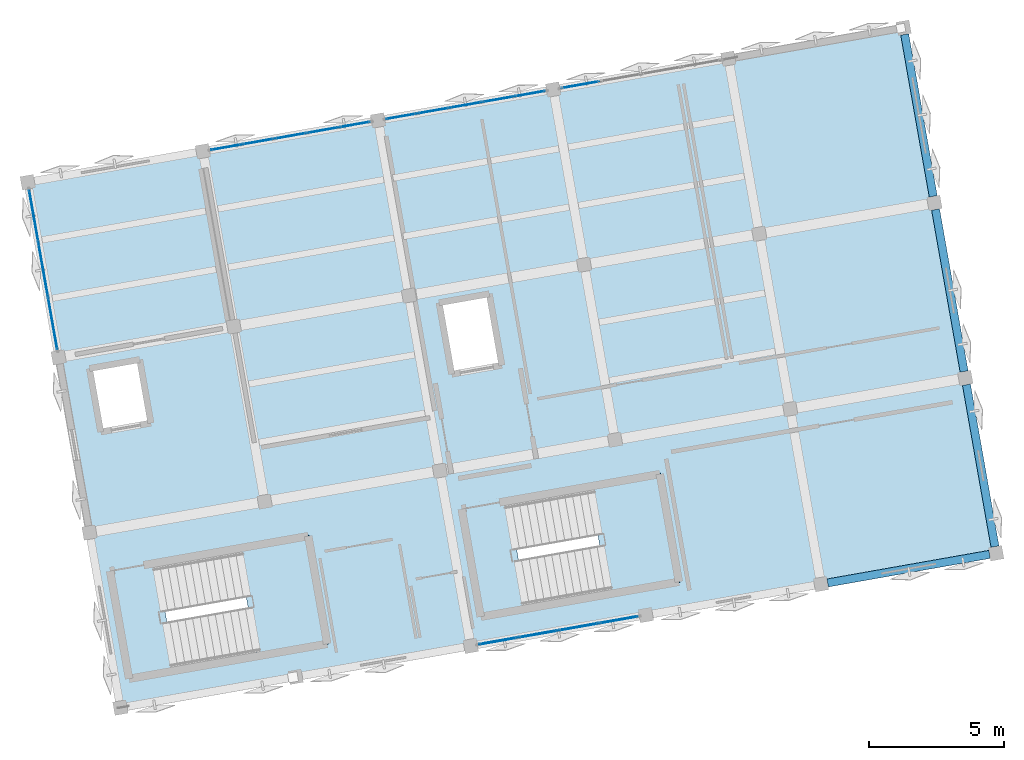
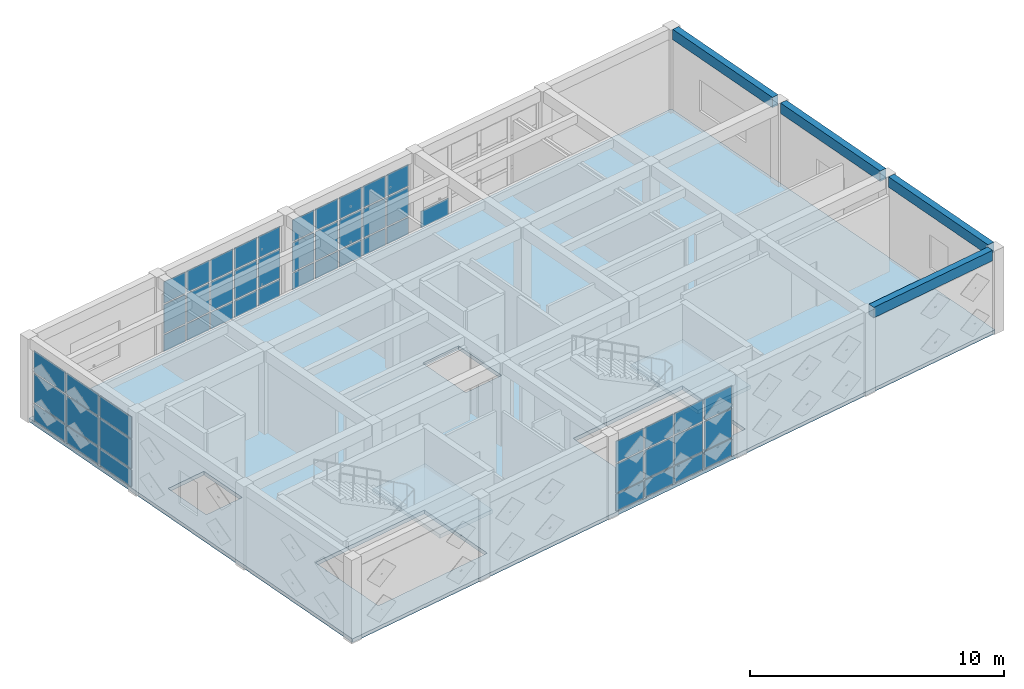
# One storey, part 9 of 15: 52 plates, 4 beams, 3 slabs, 7 elements without a shape of their own.
"""IFC4 building model written with IfcOpenShell, lengths in metres."""

from ifc_helpers import new_model, si_unit, direction, frame, origin, origin_2d, place, context, subcontext, project, spatial, polyline, rectangle, outline, extrude, material, layer, layer_set, material_profile, profile_set, type_object, element, aggregate, save


model = new_model("IFC4")

# Units and contexts
model_context = context("Model", 3, precision=1e-05, world=origin(), true_north=direction((0.0, 1.0)))
body_context = subcontext(model_context, "Body", "Model", "MODEL_VIEW")
ifc_project = project(units=[si_unit("LENGTHUNIT", "METRE"), si_unit("AREAUNIT", "SQUARE_METRE"), si_unit("VOLUMEUNIT", "CUBIC_METRE"), si_unit("PLANEANGLEUNIT", "RADIAN"), si_unit("MASSUNIT", "GRAM", prefix="KILO")], contexts=[model_context])

# Site, building, storey
site_placement = place(None, origin())
site = spatial("IfcSite", under=ifc_project, at=site_placement, CompositionType="ELEMENT")
building_placement = place(site_placement, origin())
building = spatial("IfcBuilding", under=site, at=building_placement, Name="Kharisveld Research Institute", CompositionType="ELEMENT")
storey_placement = place(building_placement, frame((0.0, 0.0, 40.800048828125)))
storey = spatial("IfcBuildingStorey", under=building, at=storey_placement, Name="L09", CompositionType="ELEMENT", Elevation=40.800048828125)

# Beams
ifc_material_1 = material(Name="Concrete C40/50", Category="concrete")
ifc_material_profile = material_profile(ifc_material_1, rectangle(XDim=0.300048828125, YDim=0.5, at=origin_2d()))
ifc_profile_set = profile_set([ifc_material_profile], Name="Concrete C40/50")
beam_type = type_object("IfcBeamType", Name="SP_RC_300x500", PredefinedType="SPANDREL", material=ifc_profile_set)
for number, where, z_axis, x_axis, name in (
    (1, (31.445068359375, 39.6376953125, 3.760009765625), (0.984805711192, 0.173659757005, 0.0), (-0.173659757005, 0.984805711192, 0.0), "BM:V1:L09:U4_0"),
    (2, (37.6552734375, 40.986572265625, 3.760009765625), (-0.173659757005, 0.984805711192, 0.0), (-0.984805711192, -0.173659757005, 0.0), "BM:V1:L09:V5_0"),
    (3, (36.50927734375, 47.486328125, 3.760009765625), (-0.173659757005, 0.984805711192, 0.0), (-0.984805711192, -0.173659757005, 0.0), "BM:V1:L09:V5_1"),
):
    element("IfcBeam", number, at=place(storey_placement, frame(where, z_axis=z_axis, x_axis=x_axis)), inside=storey, type_object=beam_type, Name=name, PredefinedType="SPANDREL", context=body_context, shape_type="SweptSolid", body=[
        extrude(rectangle(XDim=0.300048828125, YDim=0.5, at=origin_2d()), origin(), (0.0, 0.0, 1.0), 6.10009765625),
    ])
beam_placement = place(storey_placement, frame((35.363037109375, 53.986083984375, 3.760009765625), z_axis=(-0.173620940611, 0.984812555252, 0.0), x_axis=(-0.984812555252, -0.173620940611, 0.0)))
element("IfcBeam", 4, at=beam_placement, inside=storey, type_object=beam_type, Name="BM:V1:L09:V5_2", PredefinedType="SPANDREL", context=body_context, shape_type="SweptSolid", body=[
    extrude(rectangle(XDim=0.300048828125, YDim=0.5, at=origin_2d()), origin(), (0.0, 0.0, 1.0), 6.099853515625),
])

# Curtain wall, plates
ifc_material_2 = material(Name="Thermally Broken Aluminium Curtain Wall", Category="aluminium")
ifc_layer_1 = layer(ifc_material_2, 0.159912109375)
ifc_layer_set_1 = layer_set([ifc_layer_1], Name="CW_SYS_06")
curtain_wall_type_1 = type_object("IfcCurtainWallType", Name="CW_SYS_06", PredefinedType="NOTDEFINED", material=ifc_layer_set_1)
curtain_wall_1_placement = place(storey_placement, origin())
curtain_wall_1 = element("IfcCurtainWall", 5, at=curtain_wall_1_placement, inside=storey, type_object=curtain_wall_type_1, Name="CW:V1:L09:W2", PredefinedType="NOTDEFINED")
ifc_material_3 = material(Name="Low-E Double Glazing", Category="glass")
ifc_layer_2 = layer(ifc_material_3, 0.028076171875)
ifc_layer_set_2 = layer_set([ifc_layer_2], Name="CW_PNL_GLZ")
plate_type_1 = type_object("IfcPlateType", Name="CW_PNL_GLZ", PredefinedType="CURTAIN_PANEL", material=ifc_layer_set_2)
plate_1_placement = place(storey_placement, frame((2.685546875, 49.270751953125, 0.06494140625), z_axis=(0.0, 0.0, 1.0), x_axis=(-0.173648102039, 0.984807766347, 0.0)))
plate_1 = element("IfcPlate", 6, at=plate_1_placement, type_object=plate_type_1, Name="CW-06 panel 1.1", PredefinedType="CURTAIN_PANEL", context=body_context, shape_type="SweptSolid", body=[
    extrude(rectangle(XDim=1.931640625, YDim=0.028076171875, at=origin_2d()), origin(), (0.0, 0.0, 1.0), 0.802490234375),
])
plate_2_placement = place(storey_placement, frame((2.685546875, 49.270751953125, 0.9326171875), z_axis=(0.0, 0.0, 1.0), x_axis=(-0.173648102039, 0.984807766347, 0.0)))
plate_2 = element("IfcPlate", 7, at=plate_2_placement, type_object=plate_type_1, Name="CW-06 panel 1.2", PredefinedType="CURTAIN_PANEL", context=body_context, shape_type="SweptSolid", body=[
    extrude(rectangle(XDim=1.931640625, YDim=0.028076171875, at=origin_2d()), origin(), (0.0, 0.0, 1.0), 1.385009765625),
])
plate_3_placement = place(storey_placement, frame((2.685546875, 49.270751953125, 2.38232421875), z_axis=(0.0, 0.0, 1.0), x_axis=(-0.173648102039, 0.984807766347, 0.0)))
plate_3 = element("IfcPlate", 8, at=plate_3_placement, type_object=plate_type_1, Name="CW-06 panel 1.3", PredefinedType="CURTAIN_PANEL", context=body_context, shape_type="SweptSolid", body=[
    extrude(rectangle(XDim=1.931640625, YDim=0.028076171875, at=origin_2d()), origin(), (0.0, 0.0, 1.0), 1.032470703125),
])
plate_4_placement = place(storey_placement, frame((2.334716796875, 51.25927734375, 0.06494140625), z_axis=(0.0, 0.0, 1.0), x_axis=(-0.173648102039, 0.984807766347, 0.0)))
plate_4 = element("IfcPlate", 9, at=plate_4_placement, type_object=plate_type_1, Name="CW-06 panel 2.1", PredefinedType="CURTAIN_PANEL", context=body_context, shape_type="SweptSolid", body=[
    extrude(rectangle(XDim=1.966552734375, YDim=0.028076171875, at=origin_2d()), origin(), (0.0, 0.0, 1.0), 0.802490234375),
])
plate_5_placement = place(storey_placement, frame((2.334716796875, 51.25927734375, 0.9326171875), z_axis=(0.0, 0.0, 1.0), x_axis=(-0.173648102039, 0.984807766347, 0.0)))
plate_5 = element("IfcPlate", 10, at=plate_5_placement, type_object=plate_type_1, Name="CW-06 panel 2.2", PredefinedType="CURTAIN_PANEL", context=body_context, shape_type="SweptSolid", body=[
    extrude(rectangle(XDim=1.966552734375, YDim=0.028076171875, at=origin_2d()), origin(), (0.0, 0.0, 1.0), 1.385009765625),
])
plate_6_placement = place(storey_placement, frame((2.334716796875, 51.25927734375, 2.38232421875), z_axis=(0.0, 0.0, 1.0), x_axis=(-0.173648102039, 0.984807766347, 0.0)))
plate_6 = element("IfcPlate", 11, at=plate_6_placement, type_object=plate_type_1, Name="CW-06 panel 2.3", PredefinedType="CURTAIN_PANEL", context=body_context, shape_type="SweptSolid", body=[
    extrude(rectangle(XDim=1.966552734375, YDim=0.028076171875, at=origin_2d()), origin(), (0.0, 0.0, 1.0), 1.032470703125),
])
plate_7_placement = place(storey_placement, frame((1.984130859375, 53.247802734375, 0.06494140625), z_axis=(0.0, 0.0, 1.0), x_axis=(-0.173648102039, 0.984807766347, 0.0)))
plate_7 = element("IfcPlate", 12, at=plate_7_placement, type_object=plate_type_1, Name="CW-06 panel 3.1", PredefinedType="CURTAIN_PANEL", context=body_context, shape_type="SweptSolid", body=[
    extrude(rectangle(XDim=1.931640625, YDim=0.028076171875, at=origin_2d()), origin(), (0.0, 0.0, 1.0), 0.802490234375),
])
plate_8_placement = place(storey_placement, frame((1.984130859375, 53.247802734375, 0.9326171875), z_axis=(0.0, 0.0, 1.0), x_axis=(-0.173648102039, 0.984807766347, 0.0)))
plate_8 = element("IfcPlate", 13, at=plate_8_placement, type_object=plate_type_1, Name="CW-06 panel 3.2", PredefinedType="CURTAIN_PANEL", context=body_context, shape_type="SweptSolid", body=[
    extrude(rectangle(XDim=1.931640625, YDim=0.028076171875, at=origin_2d()), origin(), (0.0, 0.0, 1.0), 1.385009765625),
])
plate_9_placement = place(storey_placement, frame((1.984130859375, 53.247802734375, 2.38232421875), z_axis=(0.0, 0.0, 1.0), x_axis=(-0.173648102039, 0.984807766347, 0.0)))
plate_9 = element("IfcPlate", 14, at=plate_9_placement, type_object=plate_type_1, Name="CW-06 panel 3.3", PredefinedType="CURTAIN_PANEL", context=body_context, shape_type="SweptSolid", body=[
    extrude(rectangle(XDim=1.931640625, YDim=0.028076171875, at=origin_2d()), origin(), (0.0, 0.0, 1.0), 1.032470703125),
])
aggregate(curtain_wall_1, [plate_1, plate_2, plate_3, plate_4, plate_5, plate_6, plate_7, plate_8, plate_9])

ifc_material_4 = material(Name="Thermally Broken Aluminium Curtain Wall", Category="aluminium")
ifc_layer_3 = layer(ifc_material_4, 0.159912109375)
ifc_layer_set_3 = layer_set([ifc_layer_3], Name="CW_SYS_01")
curtain_wall_type_2 = type_object("IfcCurtainWallType", Name="CW_SYS_01", PredefinedType="NOTDEFINED", material=ifc_layer_set_3)
curtain_wall_2_placement = place(storey_placement, origin())
curtain_wall_2 = element("IfcCurtainWall", 15, at=curtain_wall_2_placement, inside=storey, type_object=curtain_wall_type_2, Name="CW:V1:L09:N1", PredefinedType="NOTDEFINED")
plate_10_placement = place(storey_placement, frame((9.121826171875, 55.806884765625, 0.06494140625), z_axis=(0.0, 0.0, 1.0), x_axis=(0.984807761413, 0.173648130021, 0.0)))
plate_10 = element("IfcPlate", 16, at=plate_10_placement, type_object=plate_type_1, Name="CW-01 panel 1.1", PredefinedType="CURTAIN_PANEL", context=body_context, shape_type="SweptSolid", body=[
    extrude(rectangle(XDim=1.116943359375, YDim=0.028076171875, at=origin_2d()), origin(), (0.0, 0.0, 1.0), 0.802490234375),
])
plate_11_placement = place(storey_placement, frame((9.121826171875, 55.806884765625, 0.9326171875), z_axis=(0.0, 0.0, 1.0), x_axis=(0.984807761413, 0.173648130021, 0.0)))
plate_11 = element("IfcPlate", 17, at=plate_11_placement, type_object=plate_type_1, Name="CW-01 panel 1.2", PredefinedType="CURTAIN_PANEL", context=body_context, shape_type="SweptSolid", body=[
    extrude(rectangle(XDim=1.116943359375, YDim=0.028076171875, at=origin_2d()), origin(), (0.0, 0.0, 1.0), 1.385009765625),
])
plate_12_placement = place(storey_placement, frame((9.121826171875, 55.806884765625, 2.38232421875), z_axis=(0.0, 0.0, 1.0), x_axis=(0.984807761413, 0.173648130021, 0.0)))
plate_12 = element("IfcPlate", 18, at=plate_12_placement, type_object=plate_type_1, Name="CW-01 panel 1.3", PredefinedType="CURTAIN_PANEL", context=body_context, shape_type="SweptSolid", body=[
    extrude(rectangle(XDim=1.116943359375, YDim=0.028076171875, at=origin_2d()), origin(), (0.0, 0.0, 1.0), 1.032470703125),
])
plate_13_placement = place(storey_placement, frame((10.307861328125, 56.01611328125, 0.06494140625), z_axis=(0.0, 0.0, 1.0), x_axis=(0.984807761413, 0.173648130021, 0.0)))
plate_13 = element("IfcPlate", 19, at=plate_13_placement, type_object=plate_type_1, Name="CW-01 panel 2.1", PredefinedType="CURTAIN_PANEL", context=body_context, shape_type="SweptSolid", body=[
    extrude(rectangle(XDim=1.152099609375, YDim=0.028076171875, at=origin_2d()), origin(), (0.0, 0.0, 1.0), 0.802490234375),
])
plate_14_placement = place(storey_placement, frame((10.307861328125, 56.01611328125, 0.9326171875), z_axis=(0.0, 0.0, 1.0), x_axis=(0.984807761413, 0.173648130021, 0.0)))
plate_14 = element("IfcPlate", 20, at=plate_14_placement, type_object=plate_type_1, Name="CW-01 panel 2.2", PredefinedType="CURTAIN_PANEL", context=body_context, shape_type="SweptSolid", body=[
    extrude(rectangle(XDim=1.152099609375, YDim=0.028076171875, at=origin_2d()), origin(), (0.0, 0.0, 1.0), 1.385009765625),
])
plate_15_placement = place(storey_placement, frame((10.307861328125, 56.01611328125, 2.38232421875), z_axis=(0.0, 0.0, 1.0), x_axis=(0.984807761413, 0.173648130021, 0.0)))
plate_15 = element("IfcPlate", 21, at=plate_15_placement, type_object=plate_type_1, Name="CW-01 panel 2.3", PredefinedType="CURTAIN_PANEL", context=body_context, shape_type="SweptSolid", body=[
    extrude(rectangle(XDim=1.152099609375, YDim=0.028076171875, at=origin_2d()), origin(), (0.0, 0.0, 1.0), 1.032470703125),
])
plate_16_placement = place(storey_placement, frame((11.511474609375, 56.228271484375, 0.06494140625), z_axis=(0.0, 0.0, 1.0), x_axis=(0.984807761413, 0.173648130021, 0.0)))
plate_16 = element("IfcPlate", 22, at=plate_16_placement, type_object=plate_type_1, Name="CW-01 panel 3.1", PredefinedType="CURTAIN_PANEL", context=body_context, shape_type="SweptSolid", body=[
    extrude(rectangle(XDim=1.152099609375, YDim=0.028076171875, at=origin_2d()), origin(), (0.0, 0.0, 1.0), 0.802490234375),
])
plate_17_placement = place(storey_placement, frame((11.511474609375, 56.228271484375, 0.9326171875), z_axis=(0.0, 0.0, 1.0), x_axis=(0.984807761413, 0.173648130021, 0.0)))
plate_17 = element("IfcPlate", 23, at=plate_17_placement, type_object=plate_type_1, Name="CW-01 panel 3.2", PredefinedType="CURTAIN_PANEL", context=body_context, shape_type="SweptSolid", body=[
    extrude(rectangle(XDim=1.152099609375, YDim=0.028076171875, at=origin_2d()), origin(), (0.0, 0.0, 1.0), 1.385009765625),
])
plate_18_placement = place(storey_placement, frame((11.511474609375, 56.228271484375, 2.38232421875), z_axis=(0.0, 0.0, 1.0), x_axis=(0.984807761413, 0.173648130021, 0.0)))
plate_18 = element("IfcPlate", 24, at=plate_18_placement, type_object=plate_type_1, Name="CW-01 panel 3.3", PredefinedType="CURTAIN_PANEL", context=body_context, shape_type="SweptSolid", body=[
    extrude(rectangle(XDim=1.152099609375, YDim=0.028076171875, at=origin_2d()), origin(), (0.0, 0.0, 1.0), 1.032470703125),
])
plate_19_placement = place(storey_placement, frame((12.71484375, 56.4404296875, 0.06494140625), z_axis=(0.0, 0.0, 1.0), x_axis=(0.984807761413, 0.173648130021, 0.0)))
plate_19 = element("IfcPlate", 25, at=plate_19_placement, type_object=plate_type_1, Name="CW-01 panel 4.1", PredefinedType="CURTAIN_PANEL", context=body_context, shape_type="SweptSolid", body=[
    extrude(rectangle(XDim=1.152099609375, YDim=0.028076171875, at=origin_2d()), origin(), (0.0, 0.0, 1.0), 0.802490234375),
])
plate_20_placement = place(storey_placement, frame((12.71484375, 56.4404296875, 0.9326171875), z_axis=(0.0, 0.0, 1.0), x_axis=(0.984807761413, 0.173648130021, 0.0)))
plate_20 = element("IfcPlate", 26, at=plate_20_placement, type_object=plate_type_1, Name="CW-01 panel 4.2", PredefinedType="CURTAIN_PANEL", context=body_context, shape_type="SweptSolid", body=[
    extrude(rectangle(XDim=1.152099609375, YDim=0.028076171875, at=origin_2d()), origin(), (0.0, 0.0, 1.0), 1.385009765625),
])
plate_21_placement = place(storey_placement, frame((12.71484375, 56.4404296875, 2.38232421875), z_axis=(0.0, 0.0, 1.0), x_axis=(0.984807761413, 0.173648130021, 0.0)))
plate_21 = element("IfcPlate", 27, at=plate_21_placement, type_object=plate_type_1, Name="CW-01 panel 4.3", PredefinedType="CURTAIN_PANEL", context=body_context, shape_type="SweptSolid", body=[
    extrude(rectangle(XDim=1.152099609375, YDim=0.028076171875, at=origin_2d()), origin(), (0.0, 0.0, 1.0), 1.032470703125),
])
plate_22_placement = place(storey_placement, frame((13.90087890625, 56.649658203125, 0.06494140625), z_axis=(0.0, 0.0, 1.0), x_axis=(0.984807761413, 0.173648130021, 0.0)))
plate_22 = element("IfcPlate", 28, at=plate_22_placement, type_object=plate_type_1, Name="CW-01 panel 5.1", PredefinedType="CURTAIN_PANEL", context=body_context, shape_type="SweptSolid", body=[
    extrude(rectangle(XDim=1.116943359375, YDim=0.028076171875, at=origin_2d()), origin(), (0.0, 0.0, 1.0), 0.802490234375),
])
plate_23_placement = place(storey_placement, frame((13.90087890625, 56.649658203125, 0.9326171875), z_axis=(0.0, 0.0, 1.0), x_axis=(0.984807761413, 0.173648130021, 0.0)))
plate_23 = element("IfcPlate", 29, at=plate_23_placement, type_object=plate_type_1, Name="CW-01 panel 5.2", PredefinedType="CURTAIN_PANEL", context=body_context, shape_type="SweptSolid", body=[
    extrude(rectangle(XDim=1.116943359375, YDim=0.028076171875, at=origin_2d()), origin(), (0.0, 0.0, 1.0), 1.385009765625),
])
plate_24_placement = place(storey_placement, frame((13.90087890625, 56.649658203125, 2.38232421875), z_axis=(0.0, 0.0, 1.0), x_axis=(0.984807761413, 0.173648130021, 0.0)))
plate_24 = element("IfcPlate", 30, at=plate_24_placement, type_object=plate_type_1, Name="CW-01 panel 5.3", PredefinedType="CURTAIN_PANEL", context=body_context, shape_type="SweptSolid", body=[
    extrude(rectangle(XDim=1.116943359375, YDim=0.028076171875, at=origin_2d()), origin(), (0.0, 0.0, 1.0), 1.032470703125),
])
aggregate(curtain_wall_2, [plate_10, plate_11, plate_12, plate_13, plate_14, plate_15, plate_16, plate_17, plate_18, plate_19, plate_20, plate_21, plate_22, plate_23, plate_24])

ifc_material_5 = material(Name="Thermally Broken Aluminium Curtain Wall", Category="aluminium")
ifc_layer_4 = layer(ifc_material_5, 0.159912109375)
ifc_layer_set_4 = layer_set([ifc_layer_4], Name="CW_SYS_02")
curtain_wall_type_3 = type_object("IfcCurtainWallType", Name="CW_SYS_02", PredefinedType="NOTDEFINED", material=ifc_layer_set_4)
curtain_wall_3_placement = place(storey_placement, origin())
curtain_wall_3 = element("IfcCurtainWall", 31, at=curtain_wall_3_placement, inside=storey, type_object=curtain_wall_type_3, Name="CW:V1:L09:N2", PredefinedType="NOTDEFINED")
plate_25_placement = place(storey_placement, frame((15.621337890625, 56.953125, 0.06494140625), z_axis=(0.0, 0.0, 1.0), x_axis=(0.984807766347, 0.173648102039, 0.0)))
plate_25 = element("IfcPlate", 32, at=plate_25_placement, type_object=plate_type_1, Name="CW-02 panel 1.1", PredefinedType="CURTAIN_PANEL", context=body_context, shape_type="SweptSolid", body=[
    extrude(rectangle(XDim=1.116943359375, YDim=0.028076171875, at=origin_2d()), origin(), (0.0, 0.0, 1.0), 0.802490234375),
])
plate_26_placement = place(storey_placement, frame((15.621337890625, 56.953125, 0.9326171875), z_axis=(0.0, 0.0, 1.0), x_axis=(0.984807766347, 0.173648102039, 0.0)))
plate_26 = element("IfcPlate", 33, at=plate_26_placement, type_object=plate_type_1, Name="CW-02 panel 1.2", PredefinedType="CURTAIN_PANEL", context=body_context, shape_type="SweptSolid", body=[
    extrude(rectangle(XDim=1.116943359375, YDim=0.028076171875, at=origin_2d()), origin(), (0.0, 0.0, 1.0), 1.385009765625),
])
plate_27_placement = place(storey_placement, frame((15.621337890625, 56.953125, 2.38232421875), z_axis=(0.0, 0.0, 1.0), x_axis=(0.984807766347, 0.173648102039, 0.0)))
plate_27 = element("IfcPlate", 34, at=plate_27_placement, type_object=plate_type_1, Name="CW-02 panel 1.3", PredefinedType="CURTAIN_PANEL", context=body_context, shape_type="SweptSolid", body=[
    extrude(rectangle(XDim=1.116943359375, YDim=0.028076171875, at=origin_2d()), origin(), (0.0, 0.0, 1.0), 1.032470703125),
])
plate_28_placement = place(storey_placement, frame((16.8076171875, 57.162109375, 0.06494140625), z_axis=(0.0, 0.0, 1.0), x_axis=(0.984807766347, 0.173648102039, 0.0)))
plate_28 = element("IfcPlate", 35, at=plate_28_placement, type_object=plate_type_1, Name="CW-02 panel 2.1", PredefinedType="CURTAIN_PANEL", context=body_context, shape_type="SweptSolid", body=[
    extrude(rectangle(XDim=1.152099609375, YDim=0.028076171875, at=origin_2d()), origin(), (0.0, 0.0, 1.0), 0.802490234375),
])
plate_29_placement = place(storey_placement, frame((16.8076171875, 57.162109375, 0.9326171875), z_axis=(0.0, 0.0, 1.0), x_axis=(0.984807766347, 0.173648102039, 0.0)))
plate_29 = element("IfcPlate", 36, at=plate_29_placement, type_object=plate_type_1, Name="CW-02 panel 2.2", PredefinedType="CURTAIN_PANEL", context=body_context, shape_type="SweptSolid", body=[
    extrude(rectangle(XDim=1.152099609375, YDim=0.028076171875, at=origin_2d()), origin(), (0.0, 0.0, 1.0), 1.385009765625),
])
plate_30_placement = place(storey_placement, frame((16.8076171875, 57.162109375, 2.38232421875), z_axis=(0.0, 0.0, 1.0), x_axis=(0.984807766347, 0.173648102039, 0.0)))
plate_30 = element("IfcPlate", 37, at=plate_30_placement, type_object=plate_type_1, Name="CW-02 panel 2.3", PredefinedType="CURTAIN_PANEL", context=body_context, shape_type="SweptSolid", body=[
    extrude(rectangle(XDim=1.152099609375, YDim=0.028076171875, at=origin_2d()), origin(), (0.0, 0.0, 1.0), 1.032470703125),
])
plate_31_placement = place(storey_placement, frame((18.010986328125, 57.374267578125, 0.06494140625), z_axis=(0.0, 0.0, 1.0), x_axis=(0.984807766347, 0.173648102039, 0.0)))
plate_31 = element("IfcPlate", 38, at=plate_31_placement, type_object=plate_type_1, Name="CW-02 panel 3.1", PredefinedType="CURTAIN_PANEL", context=body_context, shape_type="SweptSolid", body=[
    extrude(rectangle(XDim=1.152099609375, YDim=0.028076171875, at=origin_2d()), origin(), (0.0, 0.0, 1.0), 0.802490234375),
])
plate_32_placement = place(storey_placement, frame((18.010986328125, 57.374267578125, 0.9326171875), z_axis=(0.0, 0.0, 1.0), x_axis=(0.984807766347, 0.173648102039, 0.0)))
plate_32 = element("IfcPlate", 39, at=plate_32_placement, type_object=plate_type_1, Name="CW-02 panel 3.2", PredefinedType="CURTAIN_PANEL", context=body_context, shape_type="SweptSolid", body=[
    extrude(rectangle(XDim=1.152099609375, YDim=0.028076171875, at=origin_2d()), origin(), (0.0, 0.0, 1.0), 1.385009765625),
])
plate_33_placement = place(storey_placement, frame((18.010986328125, 57.374267578125, 2.38232421875), z_axis=(0.0, 0.0, 1.0), x_axis=(0.984807766347, 0.173648102039, 0.0)))
plate_33 = element("IfcPlate", 40, at=plate_33_placement, type_object=plate_type_1, Name="CW-02 panel 3.3", PredefinedType="CURTAIN_PANEL", context=body_context, shape_type="SweptSolid", body=[
    extrude(rectangle(XDim=1.152099609375, YDim=0.028076171875, at=origin_2d()), origin(), (0.0, 0.0, 1.0), 1.032470703125),
])
plate_34_placement = place(storey_placement, frame((19.214599609375, 57.586669921875, 0.06494140625), z_axis=(0.0, 0.0, 1.0), x_axis=(0.984807766347, 0.173648102039, 0.0)))
plate_34 = element("IfcPlate", 41, at=plate_34_placement, type_object=plate_type_1, Name="CW-02 panel 4.1", PredefinedType="CURTAIN_PANEL", context=body_context, shape_type="SweptSolid", body=[
    extrude(rectangle(XDim=1.152099609375, YDim=0.028076171875, at=origin_2d()), origin(), (0.0, 0.0, 1.0), 0.802490234375),
])
plate_35_placement = place(storey_placement, frame((19.214599609375, 57.586669921875, 0.9326171875), z_axis=(0.0, 0.0, 1.0), x_axis=(0.984807766347, 0.173648102039, 0.0)))
plate_35 = element("IfcPlate", 42, at=plate_35_placement, type_object=plate_type_1, Name="CW-02 panel 4.2", PredefinedType="CURTAIN_PANEL", context=body_context, shape_type="SweptSolid", body=[
    extrude(rectangle(XDim=1.152099609375, YDim=0.028076171875, at=origin_2d()), origin(), (0.0, 0.0, 1.0), 1.385009765625),
])
plate_36_placement = place(storey_placement, frame((19.214599609375, 57.586669921875, 2.38232421875), z_axis=(0.0, 0.0, 1.0), x_axis=(0.984807766347, 0.173648102039, 0.0)))
plate_36 = element("IfcPlate", 43, at=plate_36_placement, type_object=plate_type_1, Name="CW-02 panel 4.3", PredefinedType="CURTAIN_PANEL", context=body_context, shape_type="SweptSolid", body=[
    extrude(rectangle(XDim=1.152099609375, YDim=0.028076171875, at=origin_2d()), origin(), (0.0, 0.0, 1.0), 1.032470703125),
])
plate_37_placement = place(storey_placement, frame((20.400634765625, 57.795654296875, 0.06494140625), z_axis=(0.0, 0.0, 1.0), x_axis=(0.984807766347, 0.173648102039, 0.0)))
plate_37 = element("IfcPlate", 44, at=plate_37_placement, type_object=plate_type_1, Name="CW-02 panel 5.1", PredefinedType="CURTAIN_PANEL", context=body_context, shape_type="SweptSolid", body=[
    extrude(rectangle(XDim=1.116943359375, YDim=0.028076171875, at=origin_2d()), origin(), (0.0, 0.0, 1.0), 0.802490234375),
])
plate_38_placement = place(storey_placement, frame((20.400634765625, 57.795654296875, 0.9326171875), z_axis=(0.0, 0.0, 1.0), x_axis=(0.984807766347, 0.173648102039, 0.0)))
plate_38 = element("IfcPlate", 45, at=plate_38_placement, type_object=plate_type_1, Name="CW-02 panel 5.2", PredefinedType="CURTAIN_PANEL", context=body_context, shape_type="SweptSolid", body=[
    extrude(rectangle(XDim=1.116943359375, YDim=0.028076171875, at=origin_2d()), origin(), (0.0, 0.0, 1.0), 1.385009765625),
])
plate_39_placement = place(storey_placement, frame((20.400634765625, 57.795654296875, 2.38232421875), z_axis=(0.0, 0.0, 1.0), x_axis=(0.984807766347, 0.173648102039, 0.0)))
plate_39 = element("IfcPlate", 46, at=plate_39_placement, type_object=plate_type_1, Name="CW-02 panel 5.3", PredefinedType="CURTAIN_PANEL", context=body_context, shape_type="SweptSolid", body=[
    extrude(rectangle(XDim=1.116943359375, YDim=0.028076171875, at=origin_2d()), origin(), (0.0, 0.0, 1.0), 1.032470703125),
])
aggregate(curtain_wall_3, [plate_25, plate_26, plate_27, plate_28, plate_29, plate_30, plate_31, plate_32, plate_33, plate_34, plate_35, plate_36, plate_37, plate_38, plate_39])

# Curtain wall, plate
ifc_material_6 = material(Name="Thermally Broken Aluminium Curtain Wall", Category="aluminium")
ifc_layer_5 = layer(ifc_material_6, 0.159912109375)
ifc_layer_set_5 = layer_set([ifc_layer_5], Name="CW_SYS_03")
curtain_wall_type_4 = type_object("IfcCurtainWallType", Name="CW_SYS_03", PredefinedType="NOTDEFINED", material=ifc_layer_set_5)
curtain_wall_4_placement = place(storey_placement, origin())
curtain_wall_4 = element("IfcCurtainWall", 47, at=curtain_wall_4_placement, inside=storey, type_object=curtain_wall_type_4, Name="CW:V1:L09:N3", PredefinedType="NOTDEFINED")
plate_40_placement = place(storey_placement, frame((22.271728515625, 58.125732421875, 0.06494140625), z_axis=(0.0, 0.0, 1.0), x_axis=(0.984807761413, 0.173648130021, 0.0)))
plate_40 = element("IfcPlate", 48, at=plate_40_placement, type_object=plate_type_1, Name="CW-03 panel 1.1", PredefinedType="CURTAIN_PANEL", context=body_context, shape_type="SweptSolid", body=[
    extrude(rectangle(XDim=1.422607421875, YDim=0.028076171875, at=origin_2d()), origin(), (0.0, 0.0, 1.0), 0.802490234375),
])
aggregate(curtain_wall_4, [plate_40])

# Curtain wall, plates
ifc_material_7 = material(Name="Thermally Broken Aluminium Curtain Wall", Category="aluminium")
ifc_layer_6 = layer(ifc_material_7, 0.159912109375)
ifc_layer_set_6 = layer_set([ifc_layer_6], Name="CW_SYS_04")
curtain_wall_type_5 = type_object("IfcCurtainWallType", Name="CW_SYS_04", PredefinedType="NOTDEFINED", material=ifc_layer_set_6)
curtain_wall_5_placement = place(storey_placement, origin())
curtain_wall_5 = element("IfcCurtainWall", 49, at=curtain_wall_5_placement, inside=storey, type_object=curtain_wall_type_5, Name="CW:V1:L09:S3", PredefinedType="NOTDEFINED")
ifc_material_8 = material(Name="Insulated Spandrel Glazing", Category="glass")
ifc_layer_7 = layer(ifc_material_8, 0.035888671875)
ifc_layer_set_7 = layer_set([ifc_layer_7], Name="CW_PNL_SPD")
plate_type_2 = type_object("IfcPlateType", Name="CW_PNL_SPD", PredefinedType="CURTAIN_PANEL", material=ifc_layer_set_7)
plate_41_placement = place(storey_placement, frame((23.6884765625, 38.27001953125, 0.06494140625), z_axis=(0.0, 0.0, 1.0), x_axis=(-0.984807766347, -0.173648102039, 0.0)))
plate_41 = element("IfcPlate", 50, at=plate_41_placement, type_object=plate_type_2, Name="CW-04 panel 1.1", PredefinedType="CURTAIN_PANEL", context=body_context, shape_type="SweptSolid", body=[
    extrude(rectangle(XDim=1.422607421875, YDim=0.035888671875, at=origin_2d()), origin(), (0.0, 0.0, 1.0), 0.802490234375),
])
plate_42_placement = place(storey_placement, frame((23.6884765625, 38.27001953125, 0.9326171875), z_axis=(0.0, 0.0, 1.0), x_axis=(-0.984807766347, -0.173648102039, 0.0)))
plate_42 = element("IfcPlate", 51, at=plate_42_placement, type_object=plate_type_2, Name="CW-04 panel 1.2", PredefinedType="CURTAIN_PANEL", context=body_context, shape_type="SweptSolid", body=[
    extrude(rectangle(XDim=1.422607421875, YDim=0.035888671875, at=origin_2d()), origin(), (0.0, 0.0, 1.0), 1.385009765625),
])
plate_43_placement = place(storey_placement, frame((23.6884765625, 38.27001953125, 2.38232421875), z_axis=(0.0, 0.0, 1.0), x_axis=(-0.984807766347, -0.173648102039, 0.0)))
plate_43 = element("IfcPlate", 52, at=plate_43_placement, type_object=plate_type_2, Name="CW-04 panel 1.3", PredefinedType="CURTAIN_PANEL", context=body_context, shape_type="SweptSolid", body=[
    extrude(rectangle(XDim=1.422607421875, YDim=0.035888671875, at=origin_2d()), origin(), (0.0, 0.0, 1.0), 1.032470703125),
])
plate_44_placement = place(storey_placement, frame((22.201416015625, 38.0078125, 0.06494140625), z_axis=(0.0, 0.0, 1.0), x_axis=(-0.984807766347, -0.173648102039, 0.0)))
plate_44 = element("IfcPlate", 53, at=plate_44_placement, type_object=plate_type_2, Name="CW-04 panel 2.1", PredefinedType="CURTAIN_PANEL", context=body_context, shape_type="SweptSolid", body=[
    extrude(rectangle(XDim=1.45751953125, YDim=0.035888671875, at=origin_2d()), origin(), (0.0, 0.0, 1.0), 0.802490234375),
])
plate_45_placement = place(storey_placement, frame((22.201416015625, 38.0078125, 0.9326171875), z_axis=(0.0, 0.0, 1.0), x_axis=(-0.984807766347, -0.173648102039, 0.0)))
plate_45 = element("IfcPlate", 54, at=plate_45_placement, type_object=plate_type_2, Name="CW-04 panel 2.2", PredefinedType="CURTAIN_PANEL", context=body_context, shape_type="SweptSolid", body=[
    extrude(rectangle(XDim=1.45751953125, YDim=0.035888671875, at=origin_2d()), origin(), (0.0, 0.0, 1.0), 1.385009765625),
])
plate_46_placement = place(storey_placement, frame((22.201416015625, 38.0078125, 2.38232421875), z_axis=(0.0, 0.0, 1.0), x_axis=(-0.984807766347, -0.173648102039, 0.0)))
plate_46 = element("IfcPlate", 55, at=plate_46_placement, type_object=plate_type_2, Name="CW-04 panel 2.3", PredefinedType="CURTAIN_PANEL", context=body_context, shape_type="SweptSolid", body=[
    extrude(rectangle(XDim=1.45751953125, YDim=0.035888671875, at=origin_2d()), origin(), (0.0, 0.0, 1.0), 1.032470703125),
])
plate_47_placement = place(storey_placement, frame((20.697265625, 37.74267578125, 0.06494140625), z_axis=(0.0, 0.0, 1.0), x_axis=(-0.984807766347, -0.173648102039, 0.0)))
plate_47 = element("IfcPlate", 56, at=plate_47_placement, type_object=plate_type_2, Name="CW-04 panel 3.1", PredefinedType="CURTAIN_PANEL", context=body_context, shape_type="SweptSolid", body=[
    extrude(rectangle(XDim=1.45751953125, YDim=0.035888671875, at=origin_2d()), origin(), (0.0, 0.0, 1.0), 0.802490234375),
])
plate_48_placement = place(storey_placement, frame((20.697265625, 37.74267578125, 0.9326171875), z_axis=(0.0, 0.0, 1.0), x_axis=(-0.984807766347, -0.173648102039, 0.0)))
plate_48 = element("IfcPlate", 57, at=plate_48_placement, type_object=plate_type_2, Name="CW-04 panel 3.2", PredefinedType="CURTAIN_PANEL", context=body_context, shape_type="SweptSolid", body=[
    extrude(rectangle(XDim=1.45751953125, YDim=0.035888671875, at=origin_2d()), origin(), (0.0, 0.0, 1.0), 1.385009765625),
])
plate_49_placement = place(storey_placement, frame((20.697265625, 37.74267578125, 2.38232421875), z_axis=(0.0, 0.0, 1.0), x_axis=(-0.984807766347, -0.173648102039, 0.0)))
plate_49 = element("IfcPlate", 58, at=plate_49_placement, type_object=plate_type_2, Name="CW-04 panel 3.3", PredefinedType="CURTAIN_PANEL", context=body_context, shape_type="SweptSolid", body=[
    extrude(rectangle(XDim=1.45751953125, YDim=0.035888671875, at=origin_2d()), origin(), (0.0, 0.0, 1.0), 1.032470703125),
])
plate_50_placement = place(storey_placement, frame((19.210205078125, 37.48046875, 0.06494140625), z_axis=(0.0, 0.0, 1.0), x_axis=(-0.984807766347, -0.173648102039, 0.0)))
plate_50 = element("IfcPlate", 59, at=plate_50_placement, type_object=plate_type_2, Name="CW-04 panel 4.1", PredefinedType="CURTAIN_PANEL", context=body_context, shape_type="SweptSolid", body=[
    extrude(rectangle(XDim=1.422607421875, YDim=0.035888671875, at=origin_2d()), origin(), (0.0, 0.0, 1.0), 0.802490234375),
])
plate_51_placement = place(storey_placement, frame((19.210205078125, 37.48046875, 0.9326171875), z_axis=(0.0, 0.0, 1.0), x_axis=(-0.984807766347, -0.173648102039, 0.0)))
plate_51 = element("IfcPlate", 60, at=plate_51_placement, type_object=plate_type_2, Name="CW-04 panel 4.2", PredefinedType="CURTAIN_PANEL", context=body_context, shape_type="SweptSolid", body=[
    extrude(rectangle(XDim=1.422607421875, YDim=0.035888671875, at=origin_2d()), origin(), (0.0, 0.0, 1.0), 1.385009765625),
])
plate_52_placement = place(storey_placement, frame((19.210205078125, 37.48046875, 2.38232421875), z_axis=(0.0, 0.0, 1.0), x_axis=(-0.984807766347, -0.173648102039, 0.0)))
plate_52 = element("IfcPlate", 61, at=plate_52_placement, type_object=plate_type_2, Name="CW-04 panel 4.3", PredefinedType="CURTAIN_PANEL", context=body_context, shape_type="SweptSolid", body=[
    extrude(rectangle(XDim=1.422607421875, YDim=0.035888671875, at=origin_2d()), origin(), (0.0, 0.0, 1.0), 1.032470703125),
])
aggregate(curtain_wall_5, [plate_41, plate_42, plate_43, plate_44, plate_45, plate_46, plate_47, plate_48, plate_49, plate_50, plate_51, plate_52])

# Slab
ifc_material_9 = material(Name="Concrete C40/50", Category="concrete")
ifc_layer_8 = layer(ifc_material_9, 0.179931640625)
ifc_layer_set_8 = layer_set([ifc_layer_8], Name="SL_FLR_180")
slab_type_1 = type_object("IfcSlabType", Name="SL_FLR_180", PredefinedType="FLOOR", material=ifc_layer_set_8)
slab_1_placement = place(storey_placement, frame((0.0, 0.0, -0.179931640625)))
element("IfcSlab", 62, at=slab_1_placement, inside=storey, type_object=slab_type_1, Name="SLAB:V1:L09:MAIN", PredefinedType="FLOOR", context=body_context, shape_type="SweptSolid", body=[
    extrude(outline(polyline([(5.199951171875, 35.010009765625), (37.69873046875, 40.740478515625), (34.260498046875, 60.239501953125), (1.76171875, 54.50927734375), (5.199951171875, 35.010009765625)]), holes=[polyline([(12.73974609375, 37.45654296875), (7.224853515625, 36.48388671875), (6.554443359375, 40.285400390625), (12.0693359375, 41.2578125), (12.73974609375, 37.45654296875)]), polyline([(25.788330078125, 39.75732421875), (20.2734375, 38.784912109375), (19.603271484375, 42.586181640625), (25.1181640625, 43.55859375), (25.788330078125, 39.75732421875)]), polyline([(6.29931640625, 45.591552734375), (4.487060546875, 45.272216796875), (4.080810546875, 47.57666015625), (5.892822265625, 47.89599609375), (6.29931640625, 45.591552734375)]), polyline([(19.32470703125, 47.736083984375), (17.5126953125, 47.41650390625), (17.05419921875, 50.016357421875), (18.8662109375, 50.3359375), (19.32470703125, 47.736083984375)])]), origin(), (0.0, 0.0, 1.0), 0.179931640625),
])

# Stair, slab
ifc_material_10 = material(Name="Concrete C40/50", Category="concrete")
stair_type = type_object("IfcStairType", Name="ST_EXIT_170", PredefinedType="TWO_STRAIGHT_RUN_STAIR", material=ifc_material_10)
stair_1_placement = place(storey_placement, origin())
stair_1 = element("IfcStair", 63, at=stair_1_placement, inside=storey, type_object=stair_type, Name="STR:ST1:L09", PredefinedType="TWO_STRAIGHT_RUN_STAIR")
ifc_material_11 = material(Name="Concrete C40/50", Category="concrete")
ifc_layer_9 = layer(ifc_material_11, 0.179931640625)
ifc_layer_set_9 = layer_set([ifc_layer_9], Name="SL_LND_180")
slab_type_2 = type_object("IfcSlabType", Name="SL_LND_180", PredefinedType="LANDING", material=ifc_layer_set_9)
slab_2_placement = place(storey_placement, frame((0.0, 0.0, 1.919921875)))
slab_2 = element("IfcSlab", 64, at=slab_2_placement, type_object=slab_type_2, Name="ST-01 landing 1", PredefinedType="LANDING", context=body_context, shape_type="SweptSolid", body=[
    extrude(outline(polyline([(10.260986328125, 36.887451171875), (12.909912109375, 37.3544921875), (12.194580078125, 41.411865234375), (9.54541015625, 40.94482421875), (10.260986328125, 36.887451171875)])), origin(), (0.0, 0.0, 1.0), 0.179931640625),
])
aggregate(stair_1, [slab_2])

stair_2_placement = place(storey_placement, origin())
stair_2 = element("IfcStair", 65, at=stair_2_placement, inside=storey, type_object=stair_type, Name="STR:ST2:L09", PredefinedType="TWO_STRAIGHT_RUN_STAIR")
slab_3_placement = place(storey_placement, frame((0.0, 0.0, 1.919921875)))
slab_3 = element("IfcSlab", 66, at=slab_3_placement, type_object=slab_type_2, Name="ST-02 landing 1", PredefinedType="LANDING", context=body_context, shape_type="SweptSolid", body=[
    extrude(outline(polyline([(23.3095703125, 39.188232421875), (25.958740234375, 39.6552734375), (25.243408203125, 43.712646484375), (22.59423828125, 43.24560546875), (23.3095703125, 39.188232421875)])), origin(), (0.0, 0.0, 1.0), 0.179931640625),
])
aggregate(stair_2, [slab_3])

save(model, "model.ifc")
